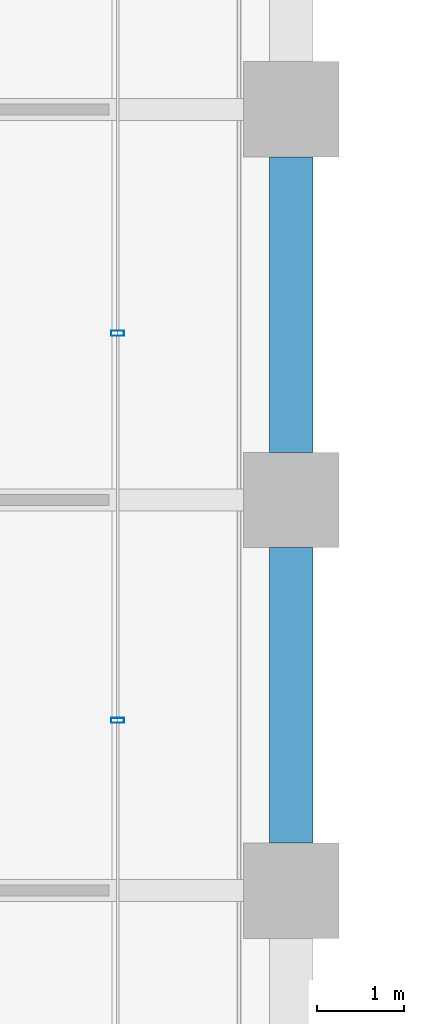
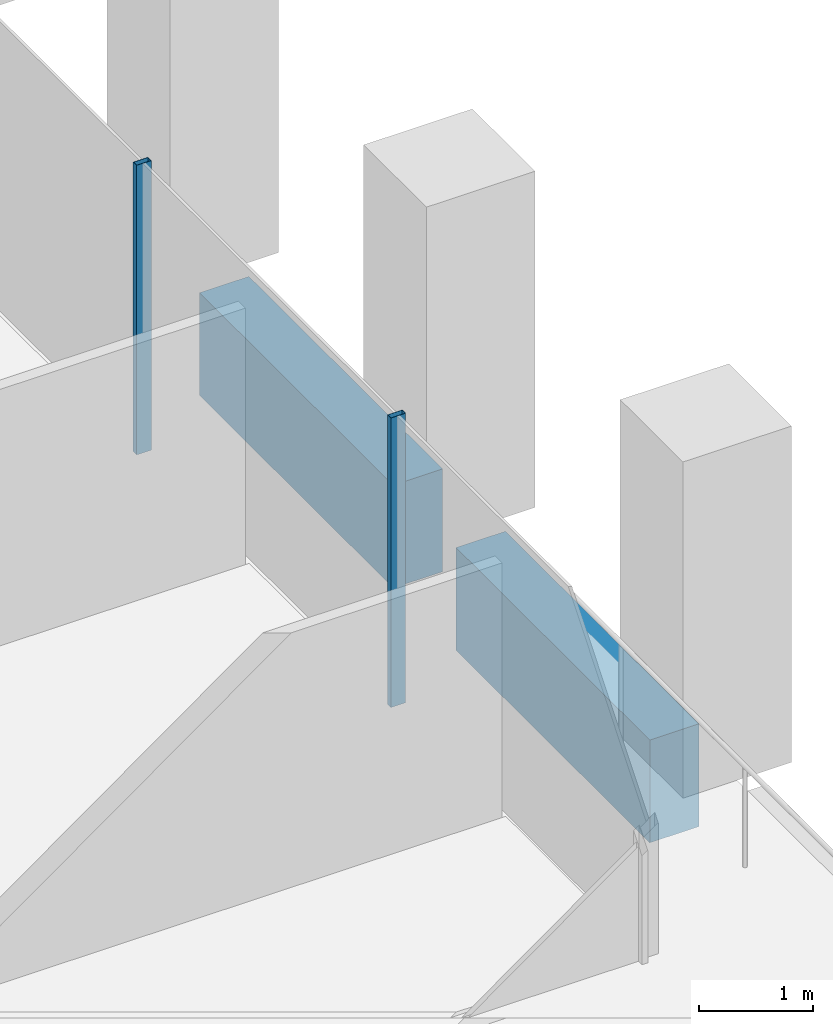
# One storey, part 18 of 56: 2 beams, 2 members, 1 element without a shape of its own.
"""IFC4 building model written with IfcOpenShell, lengths in metres."""

from ifc_helpers import new_model, si_unit, direction, frame, origin, origin_2d, place, context, subcontext, project, spatial, rectangle, hollow_rectangle, extrude, material, material_profile, profile_set, type_object, element, aggregate, save


model = new_model("IFC4")

# Units and contexts
model_context = context("Model", 3, precision=1e-05, world=origin(), true_north=direction((0.0, 1.0)))
body_context = subcontext(model_context, "Body", "Model", "MODEL_VIEW")
ifc_project = project(units=[si_unit("LENGTHUNIT", "METRE"), si_unit("AREAUNIT", "SQUARE_METRE"), si_unit("VOLUMEUNIT", "CUBIC_METRE"), si_unit("PLANEANGLEUNIT", "RADIAN"), si_unit("MASSUNIT", "GRAM", prefix="KILO")], contexts=[model_context])

# Site, building, storey
site_placement = place(None, origin())
site = spatial("IfcSite", under=ifc_project, at=site_placement, CompositionType="ELEMENT")
building_placement = place(site_placement, origin())
building = spatial("IfcBuilding", under=site, at=building_placement, Name="Altepetl Exchange Towers", CompositionType="ELEMENT")
storey_placement = place(building_placement, frame((0.0, 0.0, 69.0)))
storey = spatial("IfcBuildingStorey", under=building, at=storey_placement, Name="L16", CompositionType="ELEMENT", Elevation=69.0)

# Curtain wall, members
ifc_material_1 = material(Name="Aluminium 6063-T6 glazing", Category="aluminium")
curtain_wall_type = type_object("IfcCurtainWallType", Name="Loggia glazing system", PredefinedType="NOTDEFINED", material=ifc_material_1)
curtain_wall_placement = place(storey_placement, origin())
curtain_wall = element("IfcCurtainWall", 1, at=curtain_wall_placement, inside=storey, type_object=curtain_wall_type, Name="CW1 run", PredefinedType="NOTDEFINED")
ifc_material_2 = material(Name="Aluminium 6063-T6", Category="aluminium")
ifc_material_profile_1 = material_profile(ifc_material_2, hollow_rectangle(XDim=0.06005859375, YDim=0.14990234375, WallThickness=0.0029296875, at=origin_2d()), Name="Mullion 60x150 aluminium")
ifc_profile_set_1 = profile_set([ifc_material_profile_1], Name="Aluminium 6063-T6")
member_type = type_object("IfcMemberType", Name="Mullion 60x150 aluminium", PredefinedType="MULLION", material=ifc_profile_set_1)
member_1_placement = place(storey_placement, frame((70.0, 37.9609375, 0.0), z_axis=(0.0, 0.0, 1.0), x_axis=(0.0, 1.0, 0.0)))
member_1 = element("IfcMember", 2, at=member_1_placement, type_object=member_type, Name="MU1 mullion", PredefinedType="MULLION", context=body_context, shape_type="SweptSolid", body=[
    extrude(hollow_rectangle(XDim=0.06005859375, YDim=0.14990234375, WallThickness=0.0029296875, at=origin_2d()), origin(), (0.0, 0.0, 1.0), 3.10009765625),
])
member_2_placement = place(storey_placement, frame((70.0, 42.422119140625, 0.0), z_axis=(0.0, 0.0, 1.0), x_axis=(0.0, 1.0, 0.0)))
member_2 = element("IfcMember", 3, at=member_2_placement, type_object=member_type, Name="MU1 mullion", PredefinedType="MULLION", context=body_context, shape_type="SweptSolid", body=[
    extrude(hollow_rectangle(XDim=0.06005859375, YDim=0.14990234375, WallThickness=0.0029296875, at=origin_2d()), origin(), (0.0, 0.0, 1.0), 3.10009765625),
])
aggregate(curtain_wall, [member_1, member_2])

# Beams
ifc_material_3 = material(Name="Concrete C50/60 precast with cantera amarilla facing", Category="concrete")
ifc_material_profile_2 = material_profile(ifc_material_3, rectangle(XDim=0.5, YDim=1.10009765625, at=origin_2d()), Name="500 x 1100")
ifc_profile_set_2 = profile_set([ifc_material_profile_2], Name="Concrete C50/60 precast with cantera amarilla facing")
beam_type = type_object("IfcBeamType", Name="Spandrel beam 500x1100 cantera amarilla", PredefinedType="SPANDREL", material=ifc_profile_set_2)
for number, where, z_axis, x_axis, name in (
    (4, (72.0, 36.550048828125, -0.699951171875), (0.0, 1.0, 0.0), (-1.0, 0.0, 0.0), "sp:A:L16:013"),
    (5, (72.0, 41.050048828125, -0.699951171875), (0.0, 1.0, 0.0), (-1.0, 0.0, 0.0), "sp:A:L16:014"),
):
    element("IfcBeam", number, at=place(storey_placement, frame(where, z_axis=z_axis, x_axis=x_axis)), inside=storey, type_object=beam_type, Name=name, PredefinedType="SPANDREL", context=body_context, shape_type="SweptSolid", body=[
        extrude(rectangle(XDim=0.5, YDim=1.10009765625, at=origin_2d()), origin(), (0.0, 0.0, 1.0), 3.39990234375),
    ])

save(model, "model.ifc")
